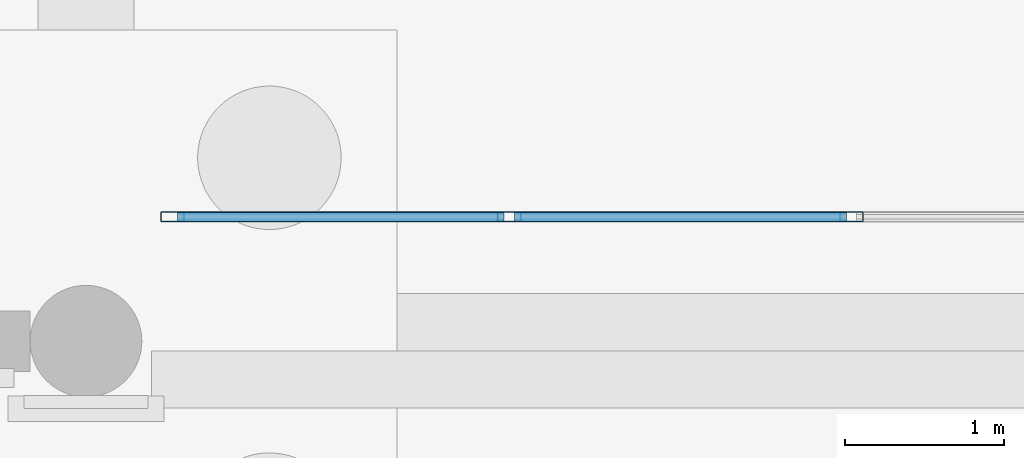
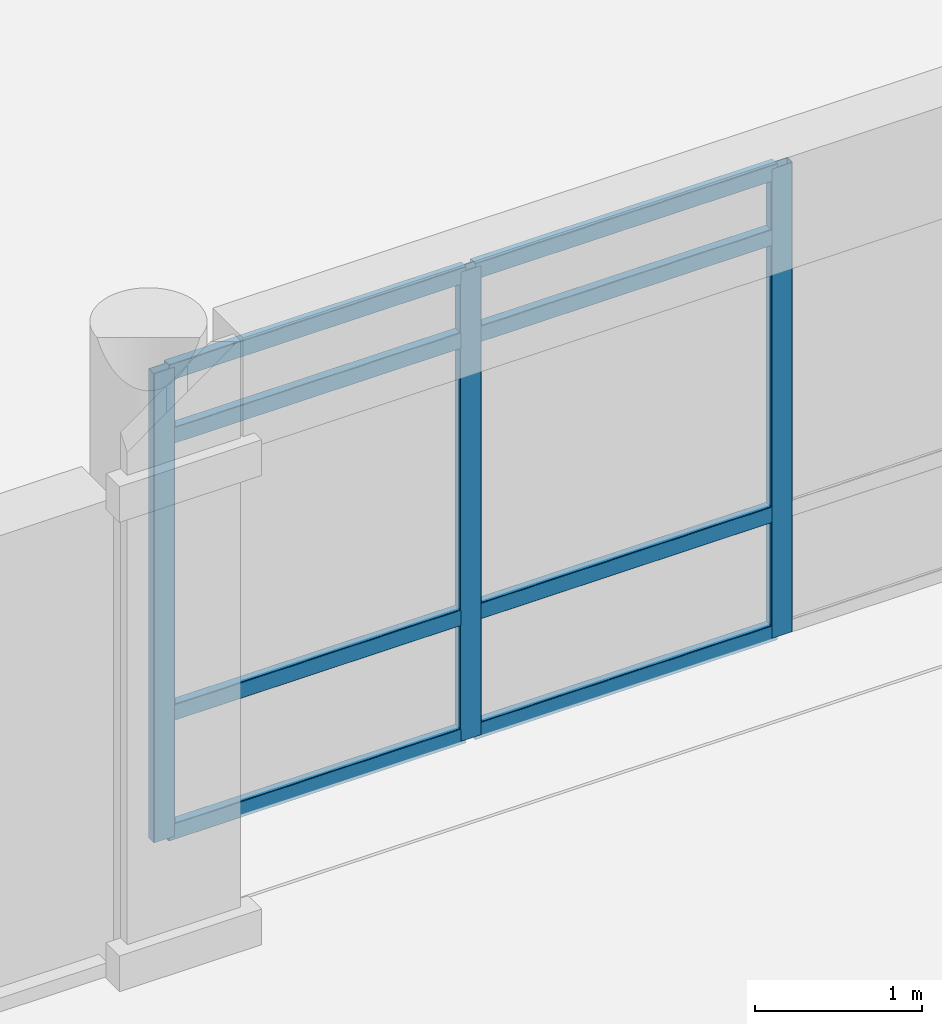
# One storey, part 111 of 196: 11 members, 1 element without a shape of its own.
"""IFC4 building model written with IfcOpenShell, lengths in metres."""

from ifc_helpers import new_model, si_unit, direction, frame, origin, origin_2d, place, context, subcontext, project, spatial, hollow_rectangle, extrude, material, layer, layer_set, material_profile, profile_set, type_object, element, aggregate, save


model = new_model("IFC4")

# Units and contexts
model_context = context("Model", 3, precision=1e-05, world=origin(), true_north=direction((0.0, 1.0)))
body_context = subcontext(model_context, "Body", "Model", "MODEL_VIEW")
ifc_project = project(units=[si_unit("LENGTHUNIT", "METRE"), si_unit("AREAUNIT", "SQUARE_METRE"), si_unit("VOLUMEUNIT", "CUBIC_METRE"), si_unit("PLANEANGLEUNIT", "RADIAN"), si_unit("MASSUNIT", "GRAM", prefix="KILO")], contexts=[model_context])

# Site, building, storey
site_placement = place(None, origin())
site = spatial("IfcSite", under=ifc_project, at=site_placement, CompositionType="ELEMENT")
building_placement = place(site_placement, origin())
building = spatial("IfcBuilding", under=site, at=building_placement, Name="Asteropetra Specialist Clinic", CompositionType="ELEMENT")
storey_placement = place(building_placement, origin())
storey = spatial("IfcBuildingStorey", under=building, at=storey_placement, Name="L00", CompositionType="ELEMENT", Elevation=0.0)

# Curtain wall, members
ifc_material_1 = material(Name="Aluminium and low-E glass", Category="aluminium")
ifc_layer = layer(ifc_material_1, 0.179931640625)
ifc_layer_set = layer_set([ifc_layer], Name="Aluminium and low-E glass")
curtain_wall_type = type_object("IfcCurtainWallType", Name="CW-SYS-10", PredefinedType="USERDEFINED", material=ifc_layer_set)
curtain_wall_placement = place(storey_placement, origin())
curtain_wall = element("IfcCurtainWall", 1, at=curtain_wall_placement, inside=storey, type_object=curtain_wall_type, Name="Curtain Wall CW-208", ObjectType="STICK GLAZED COLONNADE", PredefinedType="USERDEFINED")
ifc_material_2 = material(Name="Aluminium 6063-T6", Category="aluminium")
ifc_material_profile_1 = material_profile(ifc_material_2, hollow_rectangle(XDim=0.06494140625, YDim=0.14990234375, WallThickness=0.00390625, InnerFilletRadius=0.00390625, OuterFilletRadius=0.008056640625, at=origin_2d()), Name="MUL 150x65x4.0")
ifc_profile_set_1 = profile_set([ifc_material_profile_1], Name="Aluminium 6063-T6")
member_type_1 = type_object("IfcMemberType", Name="CWM-150x65", PredefinedType="MULLION", material=ifc_profile_set_1)
member_1_placement = place(storey_placement, frame((106.142578125, 77.580078125, 0.0), z_axis=(0.0, 0.0, 1.0), x_axis=(0.0, 1.0, 0.0)))
member_1 = element("IfcMember", 2, at=member_1_placement, type_object=member_type_1, Name="CW-208 mullion 1", PredefinedType="MULLION", context=body_context, shape_type="SweptSolid", body=[
    extrude(hollow_rectangle(XDim=0.06494140625, YDim=0.14990234375, WallThickness=0.00390625, InnerFilletRadius=0.00390625, OuterFilletRadius=0.008056640625, at=origin_2d()), origin(), (0.0, 0.0, 1.0), 3.419921875),
])
member_2_placement = place(storey_placement, frame((108.2548828125, 77.580078125, 0.0), z_axis=(0.0, 0.0, 1.0), x_axis=(0.0, 1.0, 0.0)))
member_2 = element("IfcMember", 3, at=member_2_placement, type_object=member_type_1, Name="CW-208 mullion 2", PredefinedType="MULLION", context=body_context, shape_type="SweptSolid", body=[
    extrude(hollow_rectangle(XDim=0.06494140625, YDim=0.14990234375, WallThickness=0.00390625, InnerFilletRadius=0.00390625, OuterFilletRadius=0.008056640625, at=origin_2d()), origin(), (0.0, 0.0, 1.0), 3.419921875),
])
member_3_placement = place(storey_placement, frame((110.39990234375, 77.580078125, 0.0), z_axis=(0.0, 0.0, 1.0), x_axis=(0.0, 1.0, 0.0)))
member_3 = element("IfcMember", 4, at=member_3_placement, type_object=member_type_1, Name="CW-208 mullion 3", PredefinedType="MULLION", context=body_context, shape_type="SweptSolid", body=[
    extrude(hollow_rectangle(XDim=0.06494140625, YDim=0.14990234375, WallThickness=0.00390625, InnerFilletRadius=0.00390625, OuterFilletRadius=0.008056640625, at=origin_2d()), origin(), (0.0, 0.0, 1.0), 3.419921875),
])
ifc_material_3 = material(Name="Aluminium 6063-T6", Category="aluminium")
ifc_material_profile_2 = material_profile(ifc_material_3, hollow_rectangle(XDim=0.06494140625, YDim=0.1201171875, WallThickness=0.00390625, InnerFilletRadius=0.00390625, OuterFilletRadius=0.008056640625, at=origin_2d()), Name="TRN 120x65x4.0")
ifc_profile_set_2 = profile_set([ifc_material_profile_2], Name="Aluminium 6063-T6")
member_type_2 = type_object("IfcMemberType", Name="CWT-120x65", PredefinedType="USERDEFINED", material=ifc_profile_set_2)
member_4_placement = place(storey_placement, frame((106.175048828125, 77.580078125, 0.032470703125), z_axis=(1.0, 0.0, 0.0), x_axis=(0.0, 1.0, 0.0)))
member_4 = element("IfcMember", 5, at=member_4_placement, type_object=member_type_2, Name="CW-208 transom 1.1", ObjectType="TRANSOM", PredefinedType="USERDEFINED", context=body_context, shape_type="SweptSolid", body=[
    extrude(hollow_rectangle(XDim=0.06494140625, YDim=0.1201171875, WallThickness=0.00390625, InnerFilletRadius=0.00390625, OuterFilletRadius=0.008056640625, at=origin_2d()), origin(), (0.0, 0.0, 1.0), 2.04736328125),
])
member_5_placement = place(storey_placement, frame((106.175048828125, 77.580078125, 0.89990234375), z_axis=(1.0, 0.0, 0.0), x_axis=(0.0, 1.0, 0.0)))
member_5 = element("IfcMember", 6, at=member_5_placement, type_object=member_type_2, Name="CW-208 transom 1.2", ObjectType="TRANSOM", PredefinedType="USERDEFINED", context=body_context, shape_type="SweptSolid", body=[
    extrude(hollow_rectangle(XDim=0.06494140625, YDim=0.1201171875, WallThickness=0.00390625, InnerFilletRadius=0.00390625, OuterFilletRadius=0.008056640625, at=origin_2d()), origin(), (0.0, 0.0, 1.0), 2.04736328125),
])
member_6_placement = place(storey_placement, frame((106.175048828125, 77.580078125, 2.919921875), z_axis=(1.0, 0.0, 0.0), x_axis=(0.0, 1.0, 0.0)))
member_6 = element("IfcMember", 7, at=member_6_placement, type_object=member_type_2, Name="CW-208 transom 1.3", ObjectType="TRANSOM", PredefinedType="USERDEFINED", context=body_context, shape_type="SweptSolid", body=[
    extrude(hollow_rectangle(XDim=0.06494140625, YDim=0.1201171875, WallThickness=0.00390625, InnerFilletRadius=0.00390625, OuterFilletRadius=0.008056640625, at=origin_2d()), origin(), (0.0, 0.0, 1.0), 2.04736328125),
])
member_7_placement = place(storey_placement, frame((106.175048828125, 77.580078125, 3.387451171875), z_axis=(1.0, 0.0, 0.0), x_axis=(0.0, 1.0, 0.0)))
member_7 = element("IfcMember", 8, at=member_7_placement, type_object=member_type_2, Name="CW-208 transom 1.4", ObjectType="TRANSOM", PredefinedType="USERDEFINED", context=body_context, shape_type="SweptSolid", body=[
    extrude(hollow_rectangle(XDim=0.06494140625, YDim=0.1201171875, WallThickness=0.00390625, InnerFilletRadius=0.00390625, OuterFilletRadius=0.008056640625, at=origin_2d()), origin(), (0.0, 0.0, 1.0), 2.04736328125),
])
member_8_placement = place(storey_placement, frame((108.28759765625, 77.580078125, 0.032470703125), z_axis=(1.0, 0.0, 0.0), x_axis=(0.0, 1.0, 0.0)))
member_8 = element("IfcMember", 9, at=member_8_placement, type_object=member_type_2, Name="CW-208 transom 2.1", ObjectType="TRANSOM", PredefinedType="USERDEFINED", context=body_context, shape_type="SweptSolid", body=[
    extrude(hollow_rectangle(XDim=0.06494140625, YDim=0.1201171875, WallThickness=0.00390625, InnerFilletRadius=0.00390625, OuterFilletRadius=0.008056640625, at=origin_2d()), origin(), (0.0, 0.0, 1.0), 2.079833984375),
])
member_9_placement = place(storey_placement, frame((108.28759765625, 77.580078125, 0.89990234375), z_axis=(1.0, 0.0, 0.0), x_axis=(0.0, 1.0, 0.0)))
member_9 = element("IfcMember", 10, at=member_9_placement, type_object=member_type_2, Name="CW-208 transom 2.2", ObjectType="TRANSOM", PredefinedType="USERDEFINED", context=body_context, shape_type="SweptSolid", body=[
    extrude(hollow_rectangle(XDim=0.06494140625, YDim=0.1201171875, WallThickness=0.00390625, InnerFilletRadius=0.00390625, OuterFilletRadius=0.008056640625, at=origin_2d()), origin(), (0.0, 0.0, 1.0), 2.079833984375),
])
member_10_placement = place(storey_placement, frame((108.28759765625, 77.580078125, 2.919921875), z_axis=(1.0, 0.0, 0.0), x_axis=(0.0, 1.0, 0.0)))
member_10 = element("IfcMember", 11, at=member_10_placement, type_object=member_type_2, Name="CW-208 transom 2.3", ObjectType="TRANSOM", PredefinedType="USERDEFINED", context=body_context, shape_type="SweptSolid", body=[
    extrude(hollow_rectangle(XDim=0.06494140625, YDim=0.1201171875, WallThickness=0.00390625, InnerFilletRadius=0.00390625, OuterFilletRadius=0.008056640625, at=origin_2d()), origin(), (0.0, 0.0, 1.0), 2.079833984375),
])
member_11_placement = place(storey_placement, frame((108.28759765625, 77.580078125, 3.387451171875), z_axis=(1.0, 0.0, 0.0), x_axis=(0.0, 1.0, 0.0)))
member_11 = element("IfcMember", 12, at=member_11_placement, type_object=member_type_2, Name="CW-208 transom 2.4", ObjectType="TRANSOM", PredefinedType="USERDEFINED", context=body_context, shape_type="SweptSolid", body=[
    extrude(hollow_rectangle(XDim=0.06494140625, YDim=0.1201171875, WallThickness=0.00390625, InnerFilletRadius=0.00390625, OuterFilletRadius=0.008056640625, at=origin_2d()), origin(), (0.0, 0.0, 1.0), 2.079833984375),
])
aggregate(curtain_wall, [member_1, member_2, member_3, member_4, member_5, member_6, member_7, member_8, member_9, member_10, member_11])

save(model, "model.ifc")
